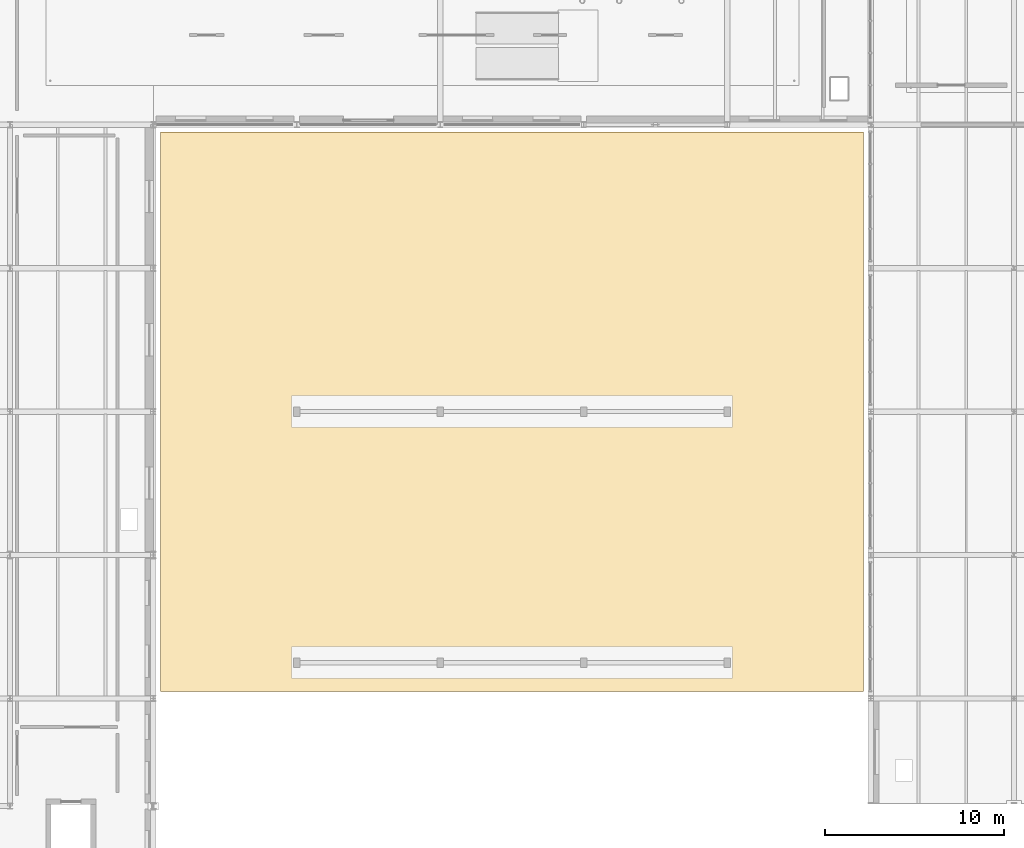
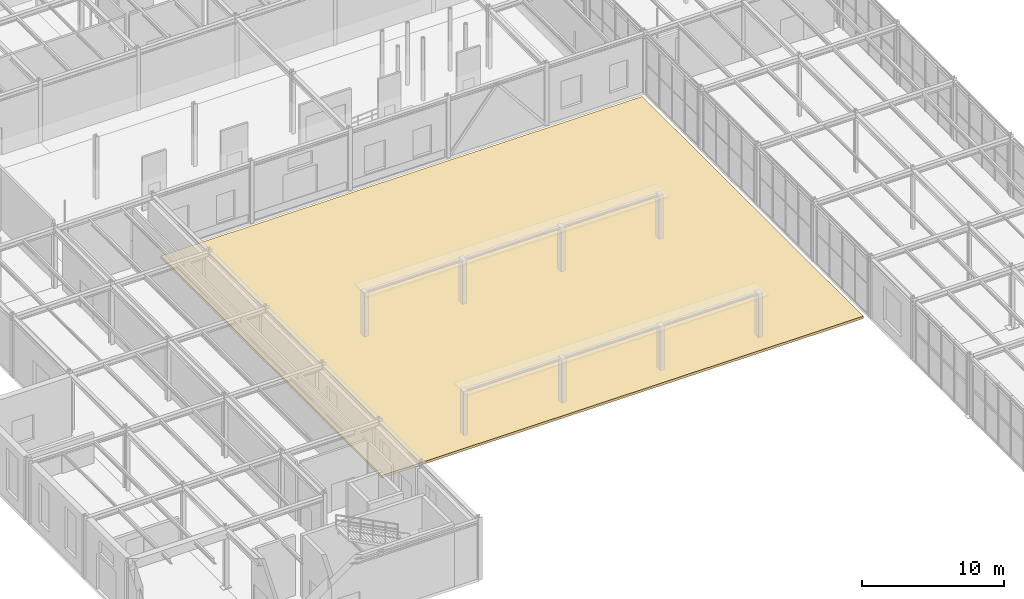
# One storey, part 111 of 129: 1 covering.
"""IFC4 building model written with IfcOpenShell, lengths in metres."""

from ifc_helpers import new_model, si_unit, direction, frame, origin, place, context, subcontext, project, spatial, polyline, outline, extrude, material, layer, layer_set, type_object, element, save


model = new_model("IFC4")

# Units and contexts
model_context = context("Model", 3, precision=1e-05, world=origin(), true_north=direction((0.0, 1.0)))
body_context = subcontext(model_context, "Body", "Model", "MODEL_VIEW")
ifc_project = project(units=[si_unit("LENGTHUNIT", "METRE"), si_unit("AREAUNIT", "SQUARE_METRE"), si_unit("VOLUMEUNIT", "CUBIC_METRE"), si_unit("PLANEANGLEUNIT", "RADIAN"), si_unit("MASSUNIT", "GRAM", prefix="KILO")], contexts=[model_context])

# Site, building, storey
site_placement = place(None, origin())
site = spatial("IfcSite", under=ifc_project, at=site_placement, CompositionType="ELEMENT")
building_placement = place(site_placement, origin())
building = spatial("IfcBuilding", under=site, at=building_placement, Name="Sundkrona Museum", CompositionType="ELEMENT")
storey_placement = place(building_placement, origin())
storey = spatial("IfcBuildingStorey", under=building, at=storey_placement, Name="L00", CompositionType="ELEMENT", Elevation=0.0)

# Covering
ifc_material = material(Name="Frost-Resistant Vitrified Stoneware Mosaic Cladding", Category="masonry")
ifc_layer = layer(ifc_material, 0.044921875)
ifc_layer_set = layer_set([ifc_layer], Name="Frost-Resistant Vitrified Stoneware Mosaic Cladding")
covering_type = type_object("IfcCoveringType", Name="COV-CLD-MOS", PredefinedType="CLADDING", material=ifc_layer_set)
covering_placement = place(storey_placement, frame((0.0, 0.0, -0.219970703125)))
element("IfcCovering", 1, at=covering_placement, inside=storey, type_object=covering_type, Name="Granite Street and Forecourt Civic Plinth (COV-PLN-COURT)", PredefinedType="CLADDING", context=body_context, shape_type="SweptSolid", body=[
    extrude(outline(polyline([(40.39990234375, 46.39990234375), (79.60009765625, 46.39990234375), (79.60009765625, 77.60009765625), (40.39990234375, 77.60009765625), (40.39990234375, 46.39990234375)])), origin(), (0.0, 0.0, 1.0), 0.2099609375),
])

save(model, "model.ifc")
